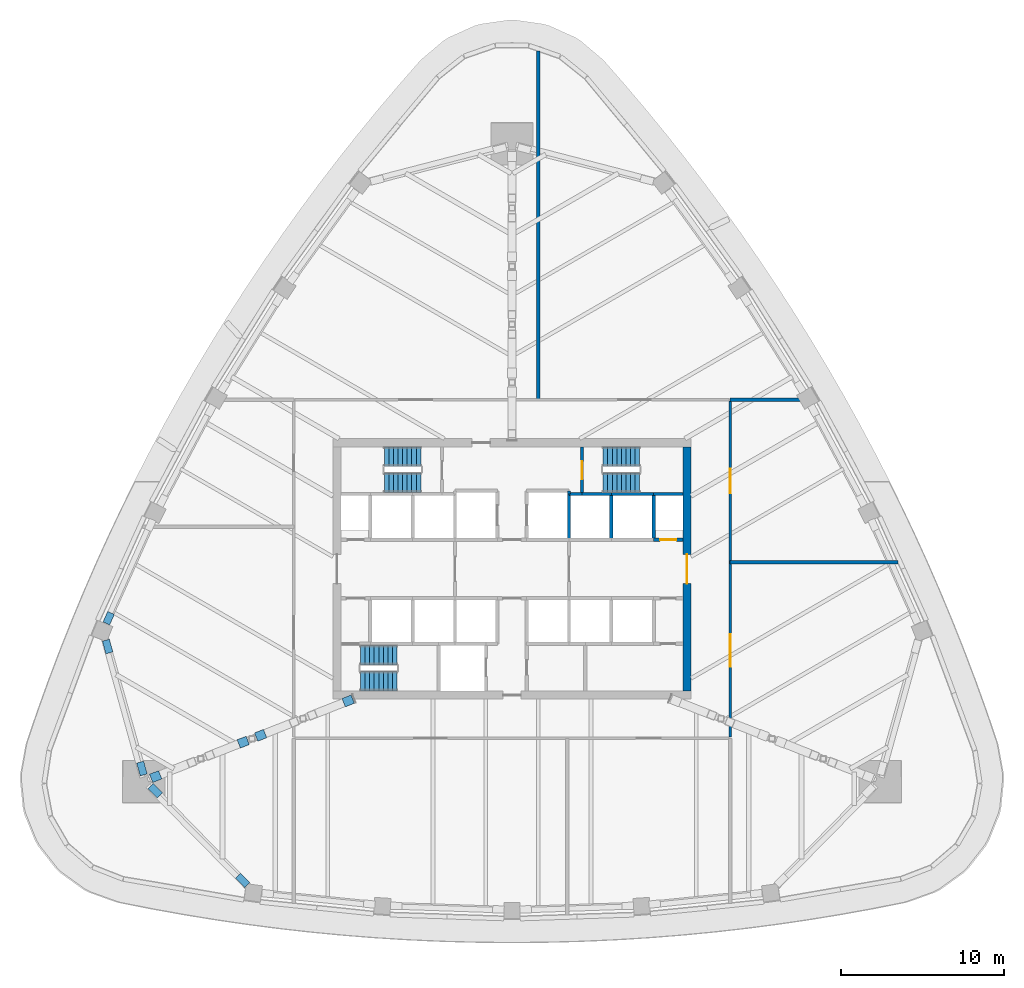
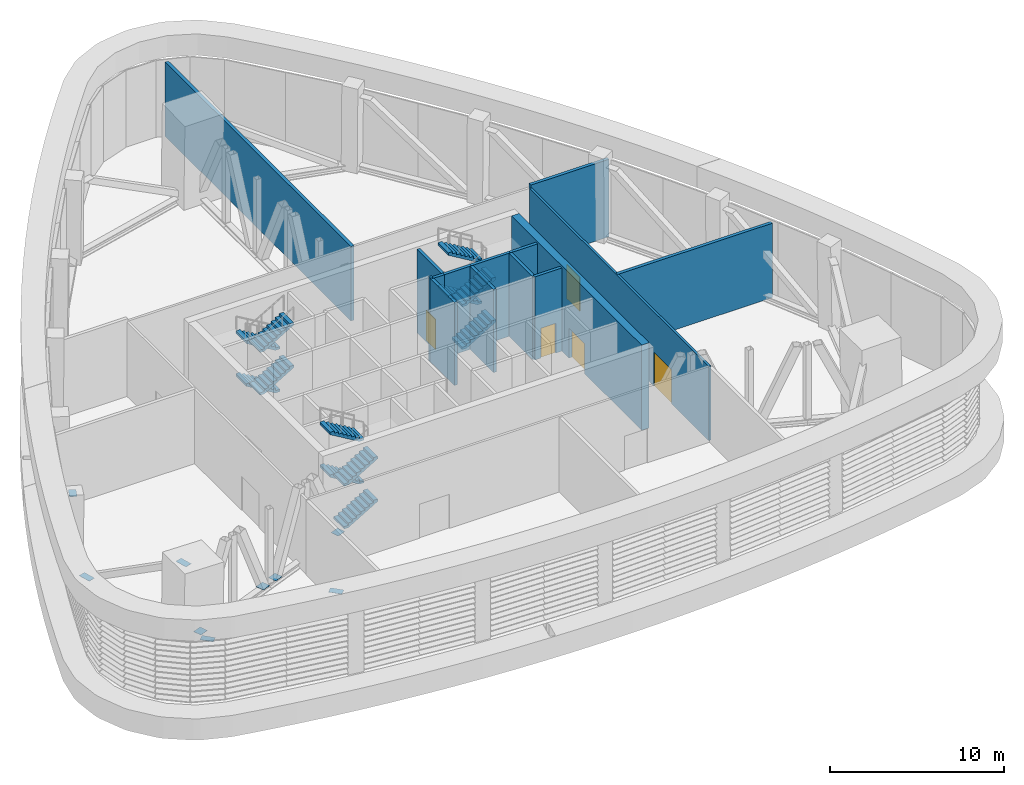
# One storey, part 7 of 18: 15 walls, 12 stair flights, 9 discrete accessories, 5 doors, 5 openings, 3 elements without a shape of their own.
"""IFC4 building model written with IfcOpenShell, lengths in metres."""

from ifc_helpers import new_model, si_unit, direction, frame, frame_2d, origin, origin_2d, place, context, subcontext, project, spatial, polyline, rectangle, outline, extrude, material, layer, layer_set, type_object, element, fill, aggregate, save


model = new_model("IFC4")

# Units and contexts
model_context = context("Model", 3, precision=1e-05, world=origin(), true_north=direction((0.0, 1.0)))
body_context = subcontext(model_context, "Body", "Model", "MODEL_VIEW")
ifc_project = project(units=[si_unit("LENGTHUNIT", "METRE"), si_unit("AREAUNIT", "SQUARE_METRE"), si_unit("VOLUMEUNIT", "CUBIC_METRE"), si_unit("PLANEANGLEUNIT", "RADIAN"), si_unit("MASSUNIT", "GRAM", prefix="KILO")], contexts=[model_context])

# Site, building, storey
site_placement = place(None, origin())
site = spatial("IfcSite", under=ifc_project, at=site_placement, CompositionType="ELEMENT")
building_placement = place(site_placement, origin())
building = spatial("IfcBuilding", under=site, at=building_placement, Name="Sierra Prisma Convention Tower", CompositionType="ELEMENT")
storey_placement = place(building_placement, frame((0.0, 0.0, 213.800048828125)))
storey = spatial("IfcBuildingStorey", under=building, at=storey_placement, Name="L48", CompositionType="ELEMENT", Elevation=213.800048828125)

# Walls
ifc_material_1 = material(Name="Concrete C30/37", Category="concrete")
ifc_layer_1 = layer(ifc_material_1, 0.199951171875)
ifc_layer_set_1 = layer_set([ifc_layer_1], Name="Core wall RC 200 C30/37")
wall_type_1 = type_object("IfcWallType", Name="Core wall RC 200 C30/37", PredefinedType="SOLIDWALL", material=ifc_layer_set_1)
wall_1_placement = place(storey_placement, frame((3.5, 4.60009765625, 0.0), z_axis=(0.0, 0.0, 1.0), x_axis=(0.0, 1.0, 0.0)))
element("IfcWall", 1, at=wall_1_placement, inside=storey, type_object=wall_type_1, Name="Core wall L48 40", PredefinedType="SOLIDWALL", context=body_context, shape_type="SweptSolid", body=[
    extrude(rectangle(XDim=0.199951171875, YDim=0.199951171875, at=frame_2d((0.10009765625, 0.0))), origin(), (0.0, 0.0, 1.0), 5.849853515625),
])
wall_2_placement = place(storey_placement, frame((3.5, 1.800048828125, 0.0), z_axis=(0.0, 0.0, 1.0), x_axis=(0.0, 1.0, 0.0)))
element("IfcWall", 2, at=wall_2_placement, inside=storey, type_object=wall_type_1, Name="Core wall L48 48", PredefinedType="SOLIDWALL", context=body_context, shape_type="SweptSolid", body=[
    extrude(rectangle(XDim=2.800048828125, YDim=0.199951171875, at=frame_2d((1.39990234375, 0.0))), origin(), (0.0, 0.0, 1.0), 5.849853515625),
])
wall_3_placement = place(storey_placement, frame((4.300048828125, 4.60009765625, 0.0), z_axis=(0.0, 0.0, 1.0), x_axis=(-1.0, 0.0, 0.0)))
element("IfcWall", 3, at=wall_3_placement, inside=storey, type_object=wall_type_1, Name="Core wall L48 49", PredefinedType="SOLIDWALL", context=body_context, shape_type="SweptSolid", body=[
    extrude(rectangle(XDim=0.800048828125, YDim=0.199951171875, at=frame_2d((0.39990234375, 0.0))), origin(), (0.0, 0.0, 1.0), 5.849853515625),
])
wall_4_placement = place(storey_placement, frame((6.10009765625, 4.60009765625, 0.0), z_axis=(0.0, 0.0, 1.0), x_axis=(-1.0, 0.0, 0.0)))
element("IfcWall", 4, at=wall_4_placement, inside=storey, type_object=wall_type_1, Name="Core wall L48 50", PredefinedType="SOLIDWALL", context=body_context, shape_type="SweptSolid", body=[
    extrude(rectangle(XDim=1.800048828125, YDim=0.199951171875, at=frame_2d((0.89990234375, 0.0))), origin(), (0.0, 0.0, 1.0), 5.849853515625),
])

# Wall, opening, door
wall_5_placement = place(storey_placement, frame((4.300048828125, 7.5, 0.0), z_axis=(0.0, 0.0, 1.0), x_axis=(0.0, -1.0, 0.0)))
wall_5 = element("IfcWall", 5, at=wall_5_placement, inside=storey, type_object=wall_type_1, Name="Core wall L48 51", PredefinedType="SOLIDWALL", context=body_context, shape_type="SweptSolid", body=[
    extrude(rectangle(XDim=2.89990234375, YDim=0.199951171875, at=frame_2d((1.449951171875, 0.0))), origin(), (0.0, 0.0, 1.0), 5.849853515625),
])
opening_1_placement = place(wall_5_placement, frame((0.89990234375, 0.0, 0.0)))
opening_1 = element("IfcOpeningElement", 6, at=opening_1_placement, cuts=wall_5, Name="Opening L48-D013", PredefinedType="OPENING", context=body_context, shape_type="SweptSolid", body=[
    extrude(rectangle(XDim=1.10009765625, YDim=2.10009765625, at=frame_2d((0.550048828125, 1.050048828125))), frame((0.0, 0.10009765625, 0.0), z_axis=(0.0, -1.0, 0.0), x_axis=(1.0, 0.0, 0.0)), (0.0, 0.0, 1.0), 0.199951171875),
])
ifc_material_2 = material(Name="Steel fire door leaf", Category="steel")
door_type_1 = type_object("IfcDoorType", Name="Door 1100x2100 FD90S", OperationType="SINGLE_SWING_LEFT", PredefinedType="DOOR", material=ifc_material_2)
door_1_placement = place(opening_1_placement, origin())
door_1 = element("IfcDoor", 7, at=door_1_placement, inside=storey, type_object=door_type_1, Name="Door L48 21", OperationType="SINGLE_SWING_LEFT", OverallHeight=2.10009765625, OverallWidth=1.10009765625, PredefinedType="DOOR", context=body_context, shape_type="SweptSolid", body=[
    extrude(rectangle(XDim=1.10009765625, YDim=2.10009765625, at=frame_2d((0.550048828125, 1.050048828125))), frame((0.0, 0.02490234375, 0.0), z_axis=(0.0, -1.0, 0.0), x_axis=(1.0, 0.0, 0.0)), (0.0, 0.0, 1.0), 0.050048828125),
])
fill(opening_1, door_1)

# Walls
wall_6_placement = place(storey_placement, frame((6.10009765625, 1.800048828125, 0.0), z_axis=(0.0, 0.0, 1.0), x_axis=(0.0, 1.0, 0.0)))
element("IfcWall", 8, at=wall_6_placement, inside=storey, type_object=wall_type_1, Name="Core wall L48 58", PredefinedType="SOLIDWALL", context=body_context, shape_type="SweptSolid", body=[
    extrude(rectangle(XDim=2.800048828125, YDim=0.199951171875, at=frame_2d((1.39990234375, 0.0))), origin(), (0.0, 0.0, 1.0), 5.849853515625),
])
wall_7_placement = place(storey_placement, frame((8.699951171875, 4.60009765625, 0.0), z_axis=(0.0, 0.0, 1.0), x_axis=(-1.0, 0.0, 0.0)))
element("IfcWall", 9, at=wall_7_placement, inside=storey, type_object=wall_type_1, Name="Core wall L48 59", PredefinedType="SOLIDWALL", context=body_context, shape_type="SweptSolid", body=[
    extrude(rectangle(XDim=2.599853515625, YDim=0.199951171875, at=frame_2d((1.2998046875, 0.0))), origin(), (0.0, 0.0, 1.0), 5.849853515625),
])

# Wall, opening, door
wall_8_placement = place(storey_placement, frame((10.5, 1.800048828125, 0.0), z_axis=(0.0, 0.0, 1.0), x_axis=(-1.0, 0.0, 0.0)))
wall_8 = element("IfcWall", 10, at=wall_8_placement, inside=storey, type_object=wall_type_1, Name="Core wall L48 63", PredefinedType="SOLIDWALL", context=body_context, shape_type="SweptSolid", body=[
    extrude(rectangle(XDim=1.800048828125, YDim=0.199951171875, at=frame_2d((0.89990234375, 0.0))), origin(), (0.0, 0.0, 1.0), 5.849853515625),
])
opening_2_placement = place(wall_8_placement, frame((0.39990234375, 0.0, 0.0)))
opening_2 = element("IfcOpeningElement", 11, at=opening_2_placement, cuts=wall_8, Name="Opening L48-D010", PredefinedType="OPENING", context=body_context, shape_type="SweptSolid", body=[
    extrude(rectangle(XDim=1.0, YDim=2.10009765625, at=frame_2d((0.5, 1.050048828125))), frame((0.0, 0.10009765625, 0.0), z_axis=(0.0, -1.0, 0.0), x_axis=(1.0, 0.0, 0.0)), (0.0, 0.0, 1.0), 0.199951171875),
])
ifc_material_3 = material(Name="Steel fire door leaf", Category="steel")
door_type_2 = type_object("IfcDoorType", Name="Door 1000x2100 FD60S", OperationType="SINGLE_SWING_LEFT", PredefinedType="DOOR", material=ifc_material_3)
door_2_placement = place(opening_2_placement, origin())
door_2 = element("IfcDoor", 12, at=door_2_placement, inside=storey, type_object=door_type_2, Name="Door L48 18", OperationType="SINGLE_SWING_LEFT", OverallHeight=2.10009765625, OverallWidth=1.0, PredefinedType="DOOR", context=body_context, shape_type="SweptSolid", body=[
    extrude(rectangle(XDim=1.0, YDim=2.10009765625, at=frame_2d((0.5, 1.050048828125))), frame((0.0, 0.02490234375, 0.0), z_axis=(0.0, -1.0, 0.0), x_axis=(1.0, 0.0, 0.0)), (0.0, 0.0, 1.0), 0.050048828125),
])
fill(opening_2, door_2)

# Walls
wall_9_placement = place(storey_placement, frame((8.699951171875, 4.60009765625, 0.0), z_axis=(0.0, 0.0, 1.0), x_axis=(0.0, -1.0, 0.0)))
element("IfcWall", 13, at=wall_9_placement, inside=storey, type_object=wall_type_1, Name="Core wall L48 64", PredefinedType="SOLIDWALL", context=body_context, shape_type="SweptSolid", body=[
    extrude(rectangle(XDim=2.800048828125, YDim=0.199951171875, at=frame_2d((1.39990234375, 0.0))), origin(), (0.0, 0.0, 1.0), 5.849853515625),
])
wall_10_placement = place(storey_placement, frame((10.5, 4.60009765625, 0.0), z_axis=(0.0, 0.0, 1.0), x_axis=(-1.0, 0.0, 0.0)))
element("IfcWall", 14, at=wall_10_placement, inside=storey, type_object=wall_type_1, Name="Core wall L48 65", PredefinedType="SOLIDWALL", context=body_context, shape_type="SweptSolid", body=[
    extrude(rectangle(XDim=1.800048828125, YDim=0.199951171875, at=frame_2d((0.89990234375, 0.0))), origin(), (0.0, 0.0, 1.0), 5.849853515625),
])

# Wall, opening, door
ifc_material_4 = material(Name="Concrete C60/75", Category="concrete")
ifc_layer_2 = layer(ifc_material_4, 0.5)
ifc_layer_set_2 = layer_set([ifc_layer_2], Name="Core wall RC 500 C60/75")
wall_type_2 = type_object("IfcWallType", Name="Core wall RC 500 C60/75", PredefinedType="SHEAR", material=ifc_layer_set_2)
wall_11_placement = place(storey_placement, frame((10.75, -7.5, 0.0), z_axis=(0.0, 0.0, 1.0), x_axis=(0.0, 1.0, 0.0)))
wall_11 = element("IfcWall", 15, at=wall_11_placement, inside=storey, type_object=wall_type_2, Name="Core wall E L48", PredefinedType="SHEAR", context=body_context, shape_type="SweptSolid", body=[
    extrude(rectangle(XDim=15.0, YDim=0.5, at=frame_2d((7.5, 0.0))), origin(), (0.0, 0.0, 1.0), 6.0),
])
opening_3_placement = place(wall_11_placement, frame((6.60009765625, 0.0, 0.0)))
opening_3 = element("IfcOpeningElement", 16, at=opening_3_placement, cuts=wall_11, Name="Opening L48-D025", PredefinedType="OPENING", context=body_context, shape_type="SweptSolid", body=[
    extrude(rectangle(XDim=1.800048828125, YDim=2.10009765625, at=frame_2d((0.89990234375, 1.050048828125))), frame((0.0, 0.25, 0.0), z_axis=(0.0, -1.0, 0.0), x_axis=(1.0, 0.0, 0.0)), (0.0, 0.0, 1.0), 0.5),
])
ifc_material_5 = material(Name="Steel fire door leaf", Category="steel")
door_type_3 = type_object("IfcDoorType", Name="Door 1800x2100 FD60S", OperationType="DOUBLE_DOOR_SINGLE_SWING", PredefinedType="DOOR", material=ifc_material_5)
door_3_placement = place(opening_3_placement, origin())
door_3 = element("IfcDoor", 17, at=door_3_placement, inside=storey, type_object=door_type_3, Name="Door L48 26", OperationType="DOUBLE_DOOR_SINGLE_SWING", OverallHeight=2.10009765625, OverallWidth=1.800048828125, PredefinedType="DOOR", context=body_context, shape_type="SweptSolid", body=[
    extrude(rectangle(XDim=1.800048828125, YDim=2.10009765625, at=frame_2d((0.89990234375, 1.050048828125))), frame((0.0, 0.02490234375, 0.0), z_axis=(0.0, -1.0, 0.0), x_axis=(1.0, 0.0, 0.0)), (0.0, 0.0, 1.0), 0.050048828125),
])
fill(opening_3, door_3)

# Wall, openings, doors
ifc_material_6 = material(Name="Gypsum board partition", Category="gypsum")
ifc_layer_3 = layer(ifc_material_6, 0.14990234375)
ifc_layer_set_3 = layer_set([ifc_layer_3], Name="Corridor wall 150 gypsum EI 60")
wall_type_3 = type_object("IfcWallType", Name="Corridor wall 150 gypsum EI 60", PredefinedType="PARTITIONING", material=ifc_layer_set_3)
wall_12_placement = place(storey_placement, frame((13.39990234375, -10.320068359375, 0.0), z_axis=(0.0, 0.0, 1.0), x_axis=(0.0, 1.0, 0.0)))
wall_12 = element("IfcWall", 18, at=wall_12_placement, inside=storey, type_object=wall_type_3, Name="Partition L48 corr 4", PredefinedType="PARTITIONING", context=body_context, shape_type="SweptSolid", body=[
    extrude(rectangle(XDim=20.64013671875, YDim=0.14990234375, at=frame_2d((10.320068359375, 0.0))), origin(), (0.0, 0.0, 1.0), 5.23291015625),
])
opening_4_placement = place(wall_12_placement, frame((14.969970703125, 0.0, 0.0)))
opening_4 = element("IfcOpeningElement", 19, at=opening_4_placement, cuts=wall_12, Name="Opening L48-D017", PredefinedType="OPENING", context=body_context, shape_type="SweptSolid", body=[
    extrude(rectangle(XDim=1.5, YDim=2.39990234375, at=frame_2d((0.75, 1.199951171875))), frame((0.0, 0.074951171875, 0.0), z_axis=(0.0, -1.0, 0.0), x_axis=(1.0, 0.0, 0.0)), (0.0, 0.0, 1.0), 0.14990234375),
])
opening_5_placement = place(wall_12_placement, frame((4.31005859375, 0.0, 0.0)))
opening_5 = element("IfcOpeningElement", 20, at=opening_5_placement, cuts=wall_12, Name="Opening L48-D024", PredefinedType="OPENING", context=body_context, shape_type="SweptSolid", body=[
    extrude(rectangle(XDim=2.0, YDim=2.39990234375, at=frame_2d((1.0, 1.199951171875))), frame((0.0, 0.074951171875, 0.0), z_axis=(0.0, -1.0, 0.0), x_axis=(1.0, 0.0, 0.0)), (0.0, 0.0, 1.0), 0.14990234375),
])
ifc_material_7 = material(Name="Steel fire door leaf", Category="steel")
door_type_4 = type_object("IfcDoorType", Name="Door 1500x2400 FD60S", OperationType="DOUBLE_DOOR_SINGLE_SWING", PredefinedType="DOOR", material=ifc_material_7)
door_4_placement = place(opening_4_placement, origin())
door_4 = element("IfcDoor", 21, at=door_4_placement, inside=storey, type_object=door_type_4, Name="Door L48 1", OperationType="DOUBLE_DOOR_SINGLE_SWING", OverallHeight=2.39990234375, OverallWidth=1.5, PredefinedType="DOOR", context=body_context, shape_type="SweptSolid", body=[
    extrude(rectangle(XDim=1.5, YDim=2.39990234375, at=frame_2d((0.75, 1.199951171875))), frame((0.0, 0.02490234375, 0.0), z_axis=(0.0, -1.0, 0.0), x_axis=(1.0, 0.0, 0.0)), (0.0, 0.0, 1.0), 0.050048828125),
])
fill(opening_4, door_4)
ifc_material_8 = material(Name="Steel fire door leaf", Category="steel")
door_type_5 = type_object("IfcDoorType", Name="Door 2000x2400 FD60S", OperationType="DOUBLE_DOOR_SINGLE_SWING", PredefinedType="DOOR", material=ifc_material_8)
door_5_placement = place(opening_5_placement, origin())
door_5 = element("IfcDoor", 22, at=door_5_placement, inside=storey, type_object=door_type_5, Name="Door L48 8", OperationType="DOUBLE_DOOR_SINGLE_SWING", OverallHeight=2.39990234375, OverallWidth=2.0, PredefinedType="DOOR", context=body_context, shape_type="SweptSolid", body=[
    extrude(rectangle(XDim=2.0, YDim=2.39990234375, at=frame_2d((1.0, 1.199951171875))), frame((0.0, 0.02490234375, 0.0), z_axis=(0.0, -1.0, 0.0), x_axis=(1.0, 0.0, 0.0)), (0.0, 0.0, 1.0), 0.050048828125),
])
fill(opening_5, door_5)

# Walls
ifc_material_9 = material(Name="Hollow clay block masonry", Category="masonry")
ifc_layer_4 = layer(ifc_material_9, 0.215087890625)
ifc_layer_set_4 = layer_set([ifc_layer_4], Name="Plant room wall 215 blockwork EI 120")
wall_type_4 = type_object("IfcWallType", Name="Plant room wall 215 blockwork EI 120", PredefinedType="PARTITIONING", material=ifc_layer_set_4)
wall_13_placement = place(storey_placement, frame((1.60009765625, 10.39990234375, 0.0), z_axis=(0.0, 0.0, 1.0), x_axis=(0.0, 1.0, 0.0)))
element("IfcWall", 23, at=wall_13_placement, inside=storey, type_object=wall_type_4, Name="Partition L48 plant 4", PredefinedType="PARTITIONING", context=body_context, shape_type="SweptSolid", body=[
    extrude(rectangle(XDim=21.4189453125, YDim=0.215087890625, at=frame_2d((10.70947265625, 0.0))), origin(), (0.0, 0.0, 1.0), 5.23388671875),
])
wall_14_placement = place(storey_placement, frame((23.7080078125, 0.39990234375, 0.0), z_axis=(0.0, 0.0, 1.0), x_axis=(-1.0, 0.0, 0.0)))
element("IfcWall", 24, at=wall_14_placement, inside=storey, type_object=wall_type_4, Name="Partition L48 plant 7", PredefinedType="PARTITIONING", context=body_context, shape_type="SweptSolid", body=[
    extrude(rectangle(XDim=10.30810546875, YDim=0.215087890625, at=frame_2d((5.154052734375, 0.0))), origin(), (0.0, 0.0, 1.0), 5.23388671875),
])
wall_15_placement = place(storey_placement, frame((13.39990234375, 10.39990234375, 0.0), z_axis=(0.0, 0.0, 1.0), x_axis=(1.0, 0.0, 0.0)))
element("IfcWall", 25, at=wall_15_placement, inside=storey, type_object=wall_type_4, Name="Partition L48 plant 8", PredefinedType="PARTITIONING", context=body_context, shape_type="SweptSolid", body=[
    extrude(rectangle(XDim=5.186279296875, YDim=0.215087890625, at=frame_2d((2.59326171875, 0.0))), origin(), (0.0, 0.0, 1.0), 5.449951171875),
])

# Stair, stair flights
ifc_material_10 = material(Name="Concrete C30/37", Category="concrete")
stair_type = type_object("IfcStairType", Name="Stair dog-leg 1200 RC", PredefinedType="HALF_TURN_STAIR", material=ifc_material_10)
stair_1_placement = place(storey_placement, origin())
stair_1 = element("IfcStair", 26, at=stair_1_placement, inside=storey, type_object=stair_type, Name="L48 S1", PredefinedType="HALF_TURN_STAIR")
ifc_material_11 = material(Name="Concrete C30/37", Category="concrete")
stair_flight_type = type_object("IfcStairFlightType", Name="Stair flight RC 1200", PredefinedType="STRAIGHT", material=ifc_material_11)
stair_flight_1_placement = place(storey_placement, frame((-9.300048828125, -6.89990234375, 0.0), z_axis=(0.0, 0.0, 1.0), x_axis=(1.0, 0.0, 0.0)))
stair_flight_1 = element("IfcStairFlight", 27, at=stair_flight_1_placement, type_object=stair_flight_type, Name="S1 flight 1", NumberOfRisers=9, NumberOfTreads=8, PredefinedType="STRAIGHT", RiserHeight=0.166666667, TreadLength=0.28, context=body_context, shape_type="SweptSolid", body=[
    extrude(outline(polyline([(0.0, 0.0), (0.0, 0.166748046875), (0.280029296875, 0.166748046875), (0.280029296875, 0.333251953125), (0.56005859375, 0.333251953125), (0.56005859375, 0.5), (0.840087890625, 0.5), (0.840087890625, 0.666748046875), (1.1201171875, 0.666748046875), (1.1201171875, 0.833251953125), (1.39990234375, 0.833251953125), (1.39990234375, 1.0), (1.679931640625, 1.0), (1.679931640625, 1.166748046875), (1.9599609375, 1.166748046875), (1.9599609375, 1.333251953125), (2.239990234375, 1.333251953125), (2.239990234375, 1.5), (2.239990234375, 1.158935546875), (0.29296875, 0.0), (0.0, 0.0)])), frame((0.0, 0.60009765625, 0.0), z_axis=(0.0, -1.0, 0.0), x_axis=(1.0, 0.0, 0.0)), (0.0, 0.0, 1.0), 1.199951171875),
])
stair_flight_2_placement = place(storey_placement, frame((-7.06005859375, -5.300048828125, 1.5), z_axis=(0.0, 0.0, 1.0), x_axis=(-1.0, 0.0, 0.0)))
stair_flight_2 = element("IfcStairFlight", 28, at=stair_flight_2_placement, type_object=stair_flight_type, Name="S1 flight 2", NumberOfRisers=9, NumberOfTreads=8, PredefinedType="STRAIGHT", RiserHeight=0.166666667, TreadLength=0.28, context=body_context, shape_type="SweptSolid", body=[
    extrude(outline(polyline([(0.0, 0.0), (0.0, 0.166748046875), (0.280029296875, 0.166748046875), (0.280029296875, 0.333251953125), (0.56005859375, 0.333251953125), (0.56005859375, 0.5), (0.840087890625, 0.5), (0.840087890625, 0.666748046875), (1.1201171875, 0.666748046875), (1.1201171875, 0.833251953125), (1.39990234375, 0.833251953125), (1.39990234375, 1.0), (1.679931640625, 1.0), (1.679931640625, 1.166748046875), (1.9599609375, 1.166748046875), (1.9599609375, 1.333251953125), (2.239990234375, 1.333251953125), (2.239990234375, 1.5), (2.239990234375, 1.158935546875), (0.29296875, 0.0), (0.0, 0.0)])), frame((0.0, 0.60009765625, 0.0), z_axis=(0.0, -1.0, 0.0), x_axis=(1.0, 0.0, 0.0)), (0.0, 0.0, 1.0), 1.199951171875),
])
stair_flight_3_placement = place(storey_placement, frame((-9.300048828125, -6.89990234375, 3.0), z_axis=(0.0, 0.0, 1.0), x_axis=(1.0, 0.0, 0.0)))
stair_flight_3 = element("IfcStairFlight", 29, at=stair_flight_3_placement, type_object=stair_flight_type, Name="S1 flight 3", NumberOfRisers=9, NumberOfTreads=8, PredefinedType="STRAIGHT", RiserHeight=0.166666667, TreadLength=0.28, context=body_context, shape_type="SweptSolid", body=[
    extrude(outline(polyline([(0.0, 0.0), (0.0, 0.166748046875), (0.280029296875, 0.166748046875), (0.280029296875, 0.333251953125), (0.56005859375, 0.333251953125), (0.56005859375, 0.5), (0.840087890625, 0.5), (0.840087890625, 0.666748046875), (1.1201171875, 0.666748046875), (1.1201171875, 0.833251953125), (1.39990234375, 0.833251953125), (1.39990234375, 1.0), (1.679931640625, 1.0), (1.679931640625, 1.166748046875), (1.9599609375, 1.166748046875), (1.9599609375, 1.333251953125), (2.239990234375, 1.333251953125), (2.239990234375, 1.5), (2.239990234375, 1.158935546875), (0.29296875, 0.0), (0.0, 0.0)])), frame((0.0, 0.60009765625, 0.0), z_axis=(0.0, -1.0, 0.0), x_axis=(1.0, 0.0, 0.0)), (0.0, 0.0, 1.0), 1.199951171875),
])
stair_flight_4_placement = place(storey_placement, frame((-7.06005859375, -5.300048828125, 4.5), z_axis=(0.0, 0.0, 1.0), x_axis=(-1.0, 0.0, 0.0)))
stair_flight_4 = element("IfcStairFlight", 30, at=stair_flight_4_placement, type_object=stair_flight_type, Name="S1 flight 4", NumberOfRisers=9, NumberOfTreads=8, PredefinedType="STRAIGHT", RiserHeight=0.166666667, TreadLength=0.28, context=body_context, shape_type="SweptSolid", body=[
    extrude(outline(polyline([(0.0, 0.0), (0.0, 0.166748046875), (0.280029296875, 0.166748046875), (0.280029296875, 0.333251953125), (0.56005859375, 0.333251953125), (0.56005859375, 0.5), (0.840087890625, 0.5), (0.840087890625, 0.666748046875), (1.1201171875, 0.666748046875), (1.1201171875, 0.833251953125), (1.39990234375, 0.833251953125), (1.39990234375, 1.0), (1.679931640625, 1.0), (1.679931640625, 1.166748046875), (1.9599609375, 1.166748046875), (1.9599609375, 1.333251953125), (2.239990234375, 1.333251953125), (2.239990234375, 1.5), (2.239990234375, 1.158935546875), (0.29296875, 0.0), (0.0, 0.0)])), frame((0.0, 0.60009765625, 0.0), z_axis=(0.0, -1.0, 0.0), x_axis=(1.0, 0.0, 0.0)), (0.0, 0.0, 1.0), 1.199951171875),
])
aggregate(stair_1, [stair_flight_1, stair_flight_2, stair_flight_3, stair_flight_4])

stair_2_placement = place(storey_placement, origin())
stair_2 = element("IfcStair", 31, at=stair_2_placement, inside=storey, type_object=stair_type, Name="L48 S3", PredefinedType="HALF_TURN_STAIR")
stair_flight_5_placement = place(storey_placement, frame((-5.60009765625, 6.89990234375, 0.0), z_axis=(0.0, 0.0, 1.0), x_axis=(-1.0, 0.0, 0.0)))
stair_flight_5 = element("IfcStairFlight", 32, at=stair_flight_5_placement, type_object=stair_flight_type, Name="S3 flight 1", NumberOfRisers=9, NumberOfTreads=8, PredefinedType="STRAIGHT", RiserHeight=0.166666667, TreadLength=0.28, context=body_context, shape_type="SweptSolid", body=[
    extrude(outline(polyline([(0.0, 0.0), (0.0, 0.166748046875), (0.280029296875, 0.166748046875), (0.280029296875, 0.333251953125), (0.56005859375, 0.333251953125), (0.56005859375, 0.5), (0.840087890625, 0.5), (0.840087890625, 0.666748046875), (1.1201171875, 0.666748046875), (1.1201171875, 0.833251953125), (1.39990234375, 0.833251953125), (1.39990234375, 1.0), (1.679931640625, 1.0), (1.679931640625, 1.166748046875), (1.9599609375, 1.166748046875), (1.9599609375, 1.333251953125), (2.239990234375, 1.333251953125), (2.239990234375, 1.5), (2.239990234375, 1.158935546875), (0.29296875, 0.0), (0.0, 0.0)])), frame((0.0, 0.60009765625, 0.0), z_axis=(0.0, -1.0, 0.0), x_axis=(1.0, 0.0, 0.0)), (0.0, 0.0, 1.0), 1.199951171875),
])
stair_flight_6_placement = place(storey_placement, frame((-7.840087890625, 5.300048828125, 1.5), z_axis=(0.0, 0.0, 1.0), x_axis=(1.0, 0.0, 0.0)))
stair_flight_6 = element("IfcStairFlight", 33, at=stair_flight_6_placement, type_object=stair_flight_type, Name="S3 flight 2", NumberOfRisers=9, NumberOfTreads=8, PredefinedType="STRAIGHT", RiserHeight=0.166666667, TreadLength=0.28, context=body_context, shape_type="SweptSolid", body=[
    extrude(outline(polyline([(0.0, 0.0), (0.0, 0.166748046875), (0.280029296875, 0.166748046875), (0.280029296875, 0.333251953125), (0.56005859375, 0.333251953125), (0.56005859375, 0.5), (0.840087890625, 0.5), (0.840087890625, 0.666748046875), (1.1201171875, 0.666748046875), (1.1201171875, 0.833251953125), (1.39990234375, 0.833251953125), (1.39990234375, 1.0), (1.679931640625, 1.0), (1.679931640625, 1.166748046875), (1.9599609375, 1.166748046875), (1.9599609375, 1.333251953125), (2.239990234375, 1.333251953125), (2.239990234375, 1.5), (2.239990234375, 1.158935546875), (0.29296875, 0.0), (0.0, 0.0)])), frame((0.0, 0.60009765625, 0.0), z_axis=(0.0, -1.0, 0.0), x_axis=(1.0, 0.0, 0.0)), (0.0, 0.0, 1.0), 1.199951171875),
])
stair_flight_7_placement = place(storey_placement, frame((-5.60009765625, 6.89990234375, 3.0), z_axis=(0.0, 0.0, 1.0), x_axis=(-1.0, 0.0, 0.0)))
stair_flight_7 = element("IfcStairFlight", 34, at=stair_flight_7_placement, type_object=stair_flight_type, Name="S3 flight 3", NumberOfRisers=9, NumberOfTreads=8, PredefinedType="STRAIGHT", RiserHeight=0.166666667, TreadLength=0.28, context=body_context, shape_type="SweptSolid", body=[
    extrude(outline(polyline([(0.0, 0.0), (0.0, 0.166748046875), (0.280029296875, 0.166748046875), (0.280029296875, 0.333251953125), (0.56005859375, 0.333251953125), (0.56005859375, 0.5), (0.840087890625, 0.5), (0.840087890625, 0.666748046875), (1.1201171875, 0.666748046875), (1.1201171875, 0.833251953125), (1.39990234375, 0.833251953125), (1.39990234375, 1.0), (1.679931640625, 1.0), (1.679931640625, 1.166748046875), (1.9599609375, 1.166748046875), (1.9599609375, 1.333251953125), (2.239990234375, 1.333251953125), (2.239990234375, 1.5), (2.239990234375, 1.158935546875), (0.29296875, 0.0), (0.0, 0.0)])), frame((0.0, 0.60009765625, 0.0), z_axis=(0.0, -1.0, 0.0), x_axis=(1.0, 0.0, 0.0)), (0.0, 0.0, 1.0), 1.199951171875),
])
stair_flight_8_placement = place(storey_placement, frame((-7.840087890625, 5.300048828125, 4.5), z_axis=(0.0, 0.0, 1.0), x_axis=(1.0, 0.0, 0.0)))
stair_flight_8 = element("IfcStairFlight", 35, at=stair_flight_8_placement, type_object=stair_flight_type, Name="S3 flight 4", NumberOfRisers=9, NumberOfTreads=8, PredefinedType="STRAIGHT", RiserHeight=0.166666667, TreadLength=0.28, context=body_context, shape_type="SweptSolid", body=[
    extrude(outline(polyline([(0.0, 0.0), (0.0, 0.166748046875), (0.280029296875, 0.166748046875), (0.280029296875, 0.333251953125), (0.56005859375, 0.333251953125), (0.56005859375, 0.5), (0.840087890625, 0.5), (0.840087890625, 0.666748046875), (1.1201171875, 0.666748046875), (1.1201171875, 0.833251953125), (1.39990234375, 0.833251953125), (1.39990234375, 1.0), (1.679931640625, 1.0), (1.679931640625, 1.166748046875), (1.9599609375, 1.166748046875), (1.9599609375, 1.333251953125), (2.239990234375, 1.333251953125), (2.239990234375, 1.5), (2.239990234375, 1.158935546875), (0.29296875, 0.0), (0.0, 0.0)])), frame((0.0, 0.60009765625, 0.0), z_axis=(0.0, -1.0, 0.0), x_axis=(1.0, 0.0, 0.0)), (0.0, 0.0, 1.0), 1.199951171875),
])
aggregate(stair_2, [stair_flight_5, stair_flight_6, stair_flight_7, stair_flight_8])

stair_3_placement = place(storey_placement, origin())
stair_3 = element("IfcStair", 36, at=stair_3_placement, inside=storey, type_object=stair_type, Name="L48 S4", PredefinedType="HALF_TURN_STAIR")
stair_flight_9_placement = place(storey_placement, frame((5.60009765625, 5.300048828125, 0.0), z_axis=(0.0, 0.0, 1.0), x_axis=(1.0, 0.0, 0.0)))
stair_flight_9 = element("IfcStairFlight", 37, at=stair_flight_9_placement, type_object=stair_flight_type, Name="S4 flight 1", NumberOfRisers=9, NumberOfTreads=8, PredefinedType="STRAIGHT", RiserHeight=0.166666667, TreadLength=0.28, context=body_context, shape_type="SweptSolid", body=[
    extrude(outline(polyline([(0.0, 0.0), (0.0, 0.166748046875), (0.280029296875, 0.166748046875), (0.280029296875, 0.333251953125), (0.56005859375, 0.333251953125), (0.56005859375, 0.5), (0.840087890625, 0.5), (0.840087890625, 0.666748046875), (1.1201171875, 0.666748046875), (1.1201171875, 0.833251953125), (1.39990234375, 0.833251953125), (1.39990234375, 1.0), (1.679931640625, 1.0), (1.679931640625, 1.166748046875), (1.9599609375, 1.166748046875), (1.9599609375, 1.333251953125), (2.239990234375, 1.333251953125), (2.239990234375, 1.5), (2.239990234375, 1.158935546875), (0.29296875, 0.0), (0.0, 0.0)])), frame((0.0, 0.60009765625, 0.0), z_axis=(0.0, -1.0, 0.0), x_axis=(1.0, 0.0, 0.0)), (0.0, 0.0, 1.0), 1.199951171875),
])
stair_flight_10_placement = place(storey_placement, frame((7.840087890625, 6.89990234375, 1.5), z_axis=(0.0, 0.0, 1.0), x_axis=(-1.0, 0.0, 0.0)))
stair_flight_10 = element("IfcStairFlight", 38, at=stair_flight_10_placement, type_object=stair_flight_type, Name="S4 flight 2", NumberOfRisers=9, NumberOfTreads=8, PredefinedType="STRAIGHT", RiserHeight=0.166666667, TreadLength=0.28, context=body_context, shape_type="SweptSolid", body=[
    extrude(outline(polyline([(0.0, 0.0), (0.0, 0.166748046875), (0.280029296875, 0.166748046875), (0.280029296875, 0.333251953125), (0.56005859375, 0.333251953125), (0.56005859375, 0.5), (0.840087890625, 0.5), (0.840087890625, 0.666748046875), (1.1201171875, 0.666748046875), (1.1201171875, 0.833251953125), (1.39990234375, 0.833251953125), (1.39990234375, 1.0), (1.679931640625, 1.0), (1.679931640625, 1.166748046875), (1.9599609375, 1.166748046875), (1.9599609375, 1.333251953125), (2.239990234375, 1.333251953125), (2.239990234375, 1.5), (2.239990234375, 1.158935546875), (0.29296875, 0.0), (0.0, 0.0)])), frame((0.0, 0.60009765625, 0.0), z_axis=(0.0, -1.0, 0.0), x_axis=(1.0, 0.0, 0.0)), (0.0, 0.0, 1.0), 1.199951171875),
])
stair_flight_11_placement = place(storey_placement, frame((5.60009765625, 5.300048828125, 3.0), z_axis=(0.0, 0.0, 1.0), x_axis=(1.0, 0.0, 0.0)))
stair_flight_11 = element("IfcStairFlight", 39, at=stair_flight_11_placement, type_object=stair_flight_type, Name="S4 flight 3", NumberOfRisers=9, NumberOfTreads=8, PredefinedType="STRAIGHT", RiserHeight=0.166666667, TreadLength=0.28, context=body_context, shape_type="SweptSolid", body=[
    extrude(outline(polyline([(0.0, 0.0), (0.0, 0.166748046875), (0.280029296875, 0.166748046875), (0.280029296875, 0.333251953125), (0.56005859375, 0.333251953125), (0.56005859375, 0.5), (0.840087890625, 0.5), (0.840087890625, 0.666748046875), (1.1201171875, 0.666748046875), (1.1201171875, 0.833251953125), (1.39990234375, 0.833251953125), (1.39990234375, 1.0), (1.679931640625, 1.0), (1.679931640625, 1.166748046875), (1.9599609375, 1.166748046875), (1.9599609375, 1.333251953125), (2.239990234375, 1.333251953125), (2.239990234375, 1.5), (2.239990234375, 1.158935546875), (0.29296875, 0.0), (0.0, 0.0)])), frame((0.0, 0.60009765625, 0.0), z_axis=(0.0, -1.0, 0.0), x_axis=(1.0, 0.0, 0.0)), (0.0, 0.0, 1.0), 1.199951171875),
])
stair_flight_12_placement = place(storey_placement, frame((7.840087890625, 6.89990234375, 4.5), z_axis=(0.0, 0.0, 1.0), x_axis=(-1.0, 0.0, 0.0)))
stair_flight_12 = element("IfcStairFlight", 40, at=stair_flight_12_placement, type_object=stair_flight_type, Name="S4 flight 4", NumberOfRisers=9, NumberOfTreads=8, PredefinedType="STRAIGHT", RiserHeight=0.166666667, TreadLength=0.28, context=body_context, shape_type="SweptSolid", body=[
    extrude(outline(polyline([(0.0, 0.0), (0.0, 0.166748046875), (0.280029296875, 0.166748046875), (0.280029296875, 0.333251953125), (0.56005859375, 0.333251953125), (0.56005859375, 0.5), (0.840087890625, 0.5), (0.840087890625, 0.666748046875), (1.1201171875, 0.666748046875), (1.1201171875, 0.833251953125), (1.39990234375, 0.833251953125), (1.39990234375, 1.0), (1.679931640625, 1.0), (1.679931640625, 1.166748046875), (1.9599609375, 1.166748046875), (1.9599609375, 1.333251953125), (2.239990234375, 1.333251953125), (2.239990234375, 1.5), (2.239990234375, 1.158935546875), (0.29296875, 0.0), (0.0, 0.0)])), frame((0.0, 0.60009765625, 0.0), z_axis=(0.0, -1.0, 0.0), x_axis=(1.0, 0.0, 0.0)), (0.0, 0.0, 1.0), 1.199951171875),
])
aggregate(stair_3, [stair_flight_9, stair_flight_10, stair_flight_11, stair_flight_12])

# Discrete accessories
ifc_material_12 = material(Name="Steel ASTM A992 Gr 50", Category="steel")
discrete_accessory_type = type_object("IfcDiscreteAccessoryType", Name="Truss end plate", PredefinedType="BRACKET", material=ifc_material_12)
for number, where, z_axis, x_axis, name in (
    (41, (-21.911865234375, -13.618896484375, 0.4072265625), (0.0, 0.0, 1.0), (0.698052951341, -0.716046141756, 0.0), "Belt truss L48-01 diagonal 1 foot end plate"),
    (42, (-16.54150390625, -19.1279296875, 5.21923828125), (0.0, 0.0, 1.0), (0.698052951341, -0.716046141756, 0.0), "Belt truss L48-01 diagonal 1 head end plate"),
):
    element("IfcDiscreteAccessory", number, at=place(storey_placement, frame(where, z_axis=z_axis, x_axis=x_axis)), inside=storey, type_object=discrete_accessory_type, Name=name, PredefinedType="BRACKET", context=body_context, shape_type="SweptSolid", body=[
        extrude(rectangle(XDim=0.803955078125, YDim=0.446044921875, at=origin_2d()), origin(), (0.0, 0.0, 1.0), 0.014892578125),
    ])
discrete_accessory_1_placement = place(storey_placement, frame((-24.7705078125, -3.0234375, 5.21923828125), z_axis=(0.0, 0.0, 1.0), x_axis=(-0.40915079136, -0.912466782918, 0.0)))
element("IfcDiscreteAccessory", 43, at=discrete_accessory_1_placement, inside=storey, type_object=discrete_accessory_type, Name="Belt truss L48-17 diagonal 1 head end plate", PredefinedType="BRACKET", context=body_context, shape_type="SweptSolid", body=[
    extrude(rectangle(XDim=0.7060546875, YDim=0.446044921875, at=origin_2d()), origin(), (0.0, 0.0, 1.0), 0.014892578125),
])
for number, where, z_axis, x_axis, name in (
    (44, (-24.835205078125, -4.764404296875, 0.4072265625), (0.0, 0.0, 1.0), (0.271085993397, -0.962555133062, 0.0), "Belt truss L48-18 diagonal 1 foot end plate"),
    (45, (-22.725830078125, -12.25341796875, 5.21923828125), (0.0, 0.0, 1.0), (0.271085993397, -0.962555133062, 0.0), "Belt truss L48-18 diagonal 1 head end plate"),
):
    element("IfcDiscreteAccessory", number, at=place(storey_placement, frame(where, z_axis=z_axis, x_axis=x_axis)), inside=storey, type_object=discrete_accessory_type, Name=name, PredefinedType="BRACKET", context=body_context, shape_type="SweptSolid", body=[
        extrude(rectangle(XDim=0.81005859375, YDim=0.446044921875, at=origin_2d()), origin(), (0.0, 0.0, 1.0), 0.014892578125),
    ])
discrete_accessory_2_placement = place(storey_placement, frame((-21.884033203125, -12.751220703125, 0.4072265625), z_axis=(0.0, 0.0, 1.0), x_axis=(0.93065149564, 0.365906810079, 0.0)))
element("IfcDiscreteAccessory", 46, at=discrete_accessory_2_placement, inside=storey, type_object=discrete_accessory_type, Name="Outrigger truss L48 SW diagonal 1 foot end plate", PredefinedType="BRACKET", context=body_context, shape_type="SweptSolid", body=[
    extrude(rectangle(XDim=0.59912109375, YDim=0.548095703125, at=origin_2d()), origin(), (0.0, 0.0, 1.0), 0.014892578125),
])
for number, where, z_axis, x_axis, name in (
    (47, (-16.50634765625, -10.63671875, 0.4072265625), (0.0, 0.0, 1.0), (0.93065149564, 0.365906810079, 0.0), "Outrigger truss L48 SW diagonal 2 foot end plate"),
    (48, (-15.437744140625, -10.216552734375, 0.4072265625), (0.0, 0.0, 1.0), (0.93065149564, 0.365906810079, 0.0), "Outrigger truss L48 SW diagonal 3 foot end plate"),
):
    element("IfcDiscreteAccessory", number, at=place(storey_placement, frame(where, z_axis=z_axis, x_axis=x_axis)), inside=storey, type_object=discrete_accessory_type, Name=name, PredefinedType="BRACKET", context=body_context, shape_type="SweptSolid", body=[
        extrude(rectangle(XDim=0.592041015625, YDim=0.548095703125, at=origin_2d()), origin(), (0.0, 0.0, 1.0), 0.014892578125),
    ])
discrete_accessory_3_placement = place(storey_placement, frame((-10.06005859375, -8.102294921875, 0.4072265625), z_axis=(0.0, 0.0, 1.0), x_axis=(0.93065149564, 0.365906810079, 0.0)))
element("IfcDiscreteAccessory", 49, at=discrete_accessory_3_placement, inside=storey, type_object=discrete_accessory_type, Name="Outrigger truss L48 SW diagonal 4 foot end plate", PredefinedType="BRACKET", context=body_context, shape_type="SweptSolid", body=[
    extrude(rectangle(XDim=0.59912109375, YDim=0.548095703125, at=origin_2d()), origin(), (0.0, 0.0, 1.0), 0.014892578125),
])

save(model, "model.ifc")
